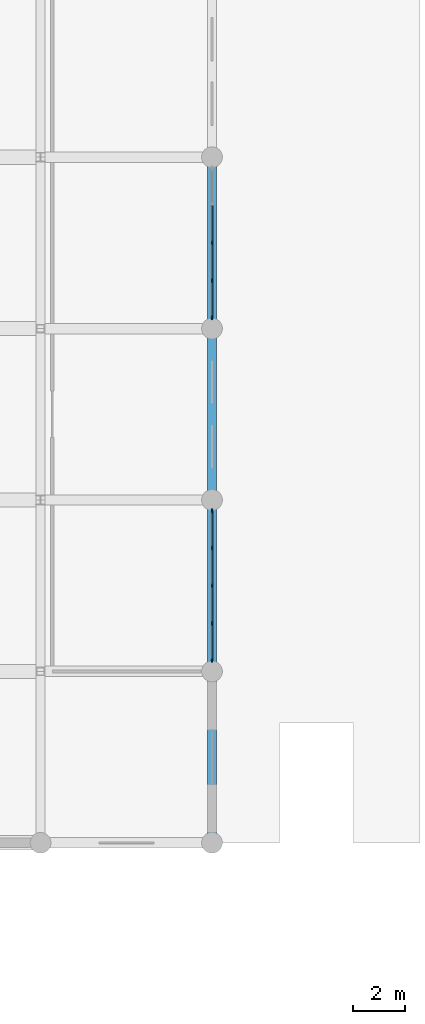
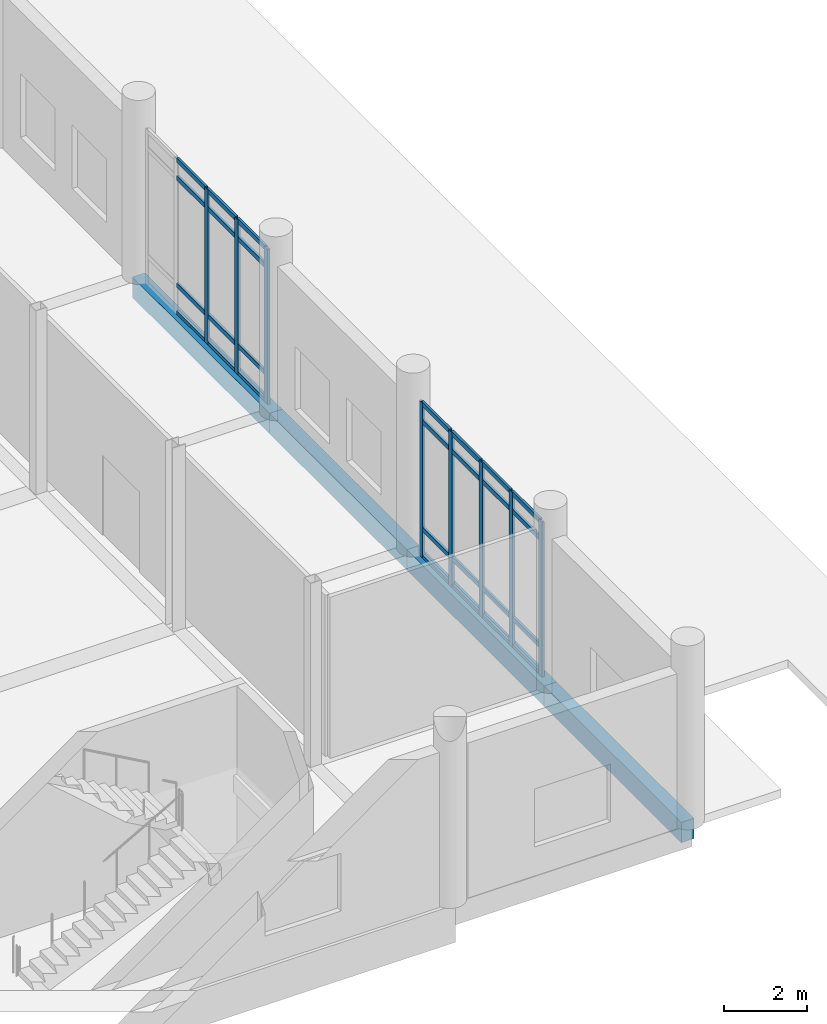
# One storey, part 12 of 72: 36 members, 4 beams, 2 elements without a shape of their own.
"""IFC4 building model written with IfcOpenShell, lengths in metres."""

from ifc_helpers import new_model, si_unit, direction, frame, origin, origin_2d, place, context, subcontext, project, spatial, rectangle, extrude, material, material_profile, profile_set, type_object, element, aggregate, save


model = new_model("IFC4")

# Units and contexts
model_context = context("Model", 3, precision=1e-05, world=origin(), true_north=direction((0.0, 1.0)))
body_context = subcontext(model_context, "Body", "Model", "MODEL_VIEW")
ifc_project = project(units=[si_unit("LENGTHUNIT", "METRE"), si_unit("AREAUNIT", "SQUARE_METRE"), si_unit("VOLUMEUNIT", "CUBIC_METRE"), si_unit("PLANEANGLEUNIT", "RADIAN"), si_unit("MASSUNIT", "GRAM", prefix="KILO")], contexts=[model_context])

# Site, building, storey
site_placement = place(None, origin())
site = spatial("IfcSite", under=ifc_project, at=site_placement, CompositionType="ELEMENT")
building_placement = place(site_placement, origin())
building = spatial("IfcBuilding", under=site, at=building_placement, Name="Dornvale Research Institute", CompositionType="ELEMENT")
storey_placement = place(building_placement, origin())
storey = spatial("IfcBuildingStorey", under=building, at=storey_placement, Name="L00", CompositionType="ELEMENT", Elevation=0.0)

# Beams
ifc_material_1 = material(Name="Concrete f'c 45 MPa (C35/45)", Category="concrete")
ifc_material_profile_1 = material_profile(ifc_material_1, rectangle(XDim=0.35009765625, YDim=0.60009765625, at=origin_2d()), Name="RC 350x600")
ifc_profile_set_1 = profile_set([ifc_material_profile_1], Name="Concrete f'c 45 MPa (C35/45)")
beam_type = type_object("IfcBeamType", Name="Beam_RC350x600_Floor", PredefinedType="BEAM", material=ifc_profile_set_1)
beam_1_placement = place(storey_placement, frame((66.0, 39.60009765625, -0.300048828125), z_axis=(0.0, 1.0, 0.0), x_axis=(-1.0, 0.0, 0.0)))
element("IfcBeam", 1, at=beam_1_placement, inside=storey, type_object=beam_type, Name="L00 transverse girder #261", PredefinedType="BEAM", context=body_context, shape_type="SweptSolid", body=[
    extrude(rectangle(XDim=0.35009765625, YDim=0.60009765625, at=origin_2d()), origin(), (0.0, 0.0, 1.0), 6.599853515625),
])
beam_2_placement = place(storey_placement, frame((66.0, 46.199951171875, -0.300048828125), z_axis=(0.0, 1.0, 0.0), x_axis=(-1.0, 0.0, 0.0)))
element("IfcBeam", 2, at=beam_2_placement, inside=storey, type_object=beam_type, Name="L00 transverse girder #262", PredefinedType="BEAM", context=body_context, shape_type="SweptSolid", body=[
    extrude(rectangle(XDim=0.35009765625, YDim=0.60009765625, at=origin_2d()), origin(), (0.0, 0.0, 1.0), 6.60009765625),
])
beam_3_placement = place(storey_placement, frame((66.0, 52.800048828125, -0.300048828125), z_axis=(0.0, 1.0, 0.0), x_axis=(-1.0, 0.0, 0.0)))
element("IfcBeam", 3, at=beam_3_placement, inside=storey, type_object=beam_type, Name="L00 transverse girder #263", PredefinedType="BEAM", context=body_context, shape_type="SweptSolid", body=[
    extrude(rectangle(XDim=0.35009765625, YDim=0.60009765625, at=origin_2d()), origin(), (0.0, 0.0, 1.0), 6.599853515625),
])
beam_4_placement = place(storey_placement, frame((66.0, 59.39990234375, -0.300048828125), z_axis=(0.0, 1.0, 0.0), x_axis=(-1.0, 0.0, 0.0)))
element("IfcBeam", 4, at=beam_4_placement, inside=storey, type_object=beam_type, Name="L00 transverse girder #264", PredefinedType="BEAM", context=body_context, shape_type="SweptSolid", body=[
    extrude(rectangle(XDim=0.35009765625, YDim=0.60009765625, at=origin_2d()), origin(), (0.0, 0.0, 1.0), 6.60009765625),
])

# Curtain wall, members
ifc_material_2 = material(Name="Low-E Argon Double Insulating Glazing Unit", Category="glass")
curtain_wall_type = type_object("IfcCurtainWallType", Name="UnitisedCurtainWall_V2_5810x4550", PredefinedType="USERDEFINED", material=ifc_material_2)
curtain_wall_1_placement = place(storey_placement, origin())
curtain_wall_1 = element("IfcCurtainWall", 5, at=curtain_wall_1_placement, inside=storey, type_object=curtain_wall_type, Name="L00 V2 unitised curtain wall CW-01 #3", ObjectType="UNITISED CURTAIN WALL", PredefinedType="USERDEFINED")
ifc_material_3 = material(Name="Anodized Aluminum AA 6063-T6 Thermally Broken Frame", Category="aluminium")
ifc_material_profile_2 = material_profile(ifc_material_3, rectangle(XDim=0.06494140625, YDim=0.1650390625, at=origin_2d()), Name="ALU MULLION 65x165")
ifc_profile_set_2 = profile_set([ifc_material_profile_2], Name="Anodized Aluminum AA 6063-T6 Thermally Broken Frame")
member_type_1 = type_object("IfcMemberType", Name="Mullion_Atrium_65x165", PredefinedType="MULLION", material=ifc_profile_set_2)
member_1_placement = place(storey_placement, frame((66.0, 62.699951171875, 0.0), z_axis=(0.0, 0.0, 1.0), x_axis=(1.0, 0.0, 0.0)))
member_1 = element("IfcMember", 6, at=member_1_placement, type_object=member_type_1, Name="CW-01 mullion 3", PredefinedType="MULLION", context=body_context, shape_type="SweptSolid", body=[
    extrude(rectangle(XDim=0.06494140625, YDim=0.1650390625, at=origin_2d()), origin(), (0.0, 0.0, 1.0), 4.550048828125),
])
member_2_placement = place(storey_placement, frame((66.0, 61.24755859375, 0.0), z_axis=(0.0, 0.0, 1.0), x_axis=(1.0, 0.0, 0.0)))
member_2 = element("IfcMember", 7, at=member_2_placement, type_object=member_type_1, Name="CW-01 mullion 4", PredefinedType="MULLION", context=body_context, shape_type="SweptSolid", body=[
    extrude(rectangle(XDim=0.06494140625, YDim=0.1650390625, at=origin_2d()), origin(), (0.0, 0.0, 1.0), 4.550048828125),
])
member_3_placement = place(storey_placement, frame((66.0, 59.827392578125, 0.0), z_axis=(0.0, 0.0, 1.0), x_axis=(1.0, 0.0, 0.0)))
member_3 = element("IfcMember", 8, at=member_3_placement, type_object=member_type_1, Name="CW-01 mullion 5", PredefinedType="MULLION", context=body_context, shape_type="SweptSolid", body=[
    extrude(rectangle(XDim=0.06494140625, YDim=0.1650390625, at=origin_2d()), origin(), (0.0, 0.0, 1.0), 4.550048828125),
])

curtain_wall_2_placement = place(storey_placement, origin())
curtain_wall_2 = element("IfcCurtainWall", 9, at=curtain_wall_2_placement, inside=storey, type_object=curtain_wall_type, Name="L00 V2 unitised curtain wall CW-01 #4", ObjectType="UNITISED CURTAIN WALL", PredefinedType="USERDEFINED")
member_4_placement = place(storey_placement, frame((66.0, 52.37255859375, 0.0), z_axis=(0.0, 0.0, 1.0), x_axis=(1.0, 0.0, 0.0)))
member_4 = element("IfcMember", 10, at=member_4_placement, type_object=member_type_1, Name="CW-01 mullion 1", PredefinedType="MULLION", context=body_context, shape_type="SweptSolid", body=[
    extrude(rectangle(XDim=0.06494140625, YDim=0.1650390625, at=origin_2d()), origin(), (0.0, 0.0, 1.0), 4.550048828125),
])
member_5_placement = place(storey_placement, frame((66.0, 50.952392578125, 0.0), z_axis=(0.0, 0.0, 1.0), x_axis=(1.0, 0.0, 0.0)))
member_5 = element("IfcMember", 11, at=member_5_placement, type_object=member_type_1, Name="CW-01 mullion 2", PredefinedType="MULLION", context=body_context, shape_type="SweptSolid", body=[
    extrude(rectangle(XDim=0.06494140625, YDim=0.1650390625, at=origin_2d()), origin(), (0.0, 0.0, 1.0), 4.550048828125),
])
member_6_placement = place(storey_placement, frame((66.0, 49.5, 0.0), z_axis=(0.0, 0.0, 1.0), x_axis=(1.0, 0.0, 0.0)))
member_6 = element("IfcMember", 12, at=member_6_placement, type_object=member_type_1, Name="CW-01 mullion 3", PredefinedType="MULLION", context=body_context, shape_type="SweptSolid", body=[
    extrude(rectangle(XDim=0.06494140625, YDim=0.1650390625, at=origin_2d()), origin(), (0.0, 0.0, 1.0), 4.550048828125),
])
member_7_placement = place(storey_placement, frame((66.0, 48.047607421875, 0.0), z_axis=(0.0, 0.0, 1.0), x_axis=(1.0, 0.0, 0.0)))
member_7 = element("IfcMember", 13, at=member_7_placement, type_object=member_type_1, Name="CW-01 mullion 4", PredefinedType="MULLION", context=body_context, shape_type="SweptSolid", body=[
    extrude(rectangle(XDim=0.06494140625, YDim=0.1650390625, at=origin_2d()), origin(), (0.0, 0.0, 1.0), 4.550048828125),
])
member_8_placement = place(storey_placement, frame((66.0, 46.62744140625, 0.0), z_axis=(0.0, 0.0, 1.0), x_axis=(1.0, 0.0, 0.0)))
member_8 = element("IfcMember", 14, at=member_8_placement, type_object=member_type_1, Name="CW-01 mullion 5", PredefinedType="MULLION", context=body_context, shape_type="SweptSolid", body=[
    extrude(rectangle(XDim=0.06494140625, YDim=0.1650390625, at=origin_2d()), origin(), (0.0, 0.0, 1.0), 4.550048828125),
])

# Member
ifc_material_4 = material(Name="Anodized Aluminum AA 6063-T6 Thermally Broken Frame", Category="aluminium")
ifc_material_profile_3 = material_profile(ifc_material_4, rectangle(XDim=0.06494140625, YDim=0.135009765625, at=origin_2d()), Name="ALU TRANSOM 65x135")
ifc_profile_set_3 = profile_set([ifc_material_profile_3], Name="Anodized Aluminum AA 6063-T6 Thermally Broken Frame")
member_type_2 = type_object("IfcMemberType", Name="Transom_CW_65x135", PredefinedType="USERDEFINED", material=ifc_profile_set_3)
member_9_placement = place(storey_placement, frame((66.0, 64.1201171875, 0.032470703125), z_axis=(0.0, -1.0, 0.0), x_axis=(1.0, 0.0, 0.0)))
member_9 = element("IfcMember", 15, at=member_9_placement, type_object=member_type_2, Name="CW-01 transom 2.1", ObjectType="TRANSOM", PredefinedType="USERDEFINED", context=body_context, shape_type="SweptSolid", body=[
    extrude(rectangle(XDim=0.06494140625, YDim=0.135009765625, at=origin_2d()), origin(), (0.0, 0.0, 1.0), 1.3876953125),
])

member_10_placement = place(storey_placement, frame((66.0, 64.1201171875, 0.85009765625), z_axis=(0.0, -1.0, 0.0), x_axis=(1.0, 0.0, 0.0)))
member_10 = element("IfcMember", 16, at=member_10_placement, type_object=member_type_2, Name="CW-01 transom 2.2", ObjectType="TRANSOM", PredefinedType="USERDEFINED", context=body_context, shape_type="SweptSolid", body=[
    extrude(rectangle(XDim=0.06494140625, YDim=0.135009765625, at=origin_2d()), origin(), (0.0, 0.0, 1.0), 1.3876953125),
])

member_11_placement = place(storey_placement, frame((66.0, 64.1201171875, 4.0), z_axis=(0.0, -1.0, 0.0), x_axis=(1.0, 0.0, 0.0)))
member_11 = element("IfcMember", 17, at=member_11_placement, type_object=member_type_2, Name="CW-01 transom 2.3", ObjectType="TRANSOM", PredefinedType="USERDEFINED", context=body_context, shape_type="SweptSolid", body=[
    extrude(rectangle(XDim=0.06494140625, YDim=0.135009765625, at=origin_2d()), origin(), (0.0, 0.0, 1.0), 1.3876953125),
])

member_12_placement = place(storey_placement, frame((66.0, 64.1201171875, 4.517578125), z_axis=(0.0, -1.0, 0.0), x_axis=(1.0, 0.0, 0.0)))
member_12 = element("IfcMember", 18, at=member_12_placement, type_object=member_type_2, Name="CW-01 transom 2.4", ObjectType="TRANSOM", PredefinedType="USERDEFINED", context=body_context, shape_type="SweptSolid", body=[
    extrude(rectangle(XDim=0.06494140625, YDim=0.135009765625, at=origin_2d()), origin(), (0.0, 0.0, 1.0), 1.3876953125),
])

member_13_placement = place(storey_placement, frame((66.0, 62.66748046875, 0.032470703125), z_axis=(0.0, -1.0, 0.0), x_axis=(1.0, 0.0, 0.0)))
member_13 = element("IfcMember", 19, at=member_13_placement, type_object=member_type_2, Name="CW-01 transom 3.1", ObjectType="TRANSOM", PredefinedType="USERDEFINED", context=body_context, shape_type="SweptSolid", body=[
    extrude(rectangle(XDim=0.06494140625, YDim=0.135009765625, at=origin_2d()), origin(), (0.0, 0.0, 1.0), 1.387451171875),
])

member_14_placement = place(storey_placement, frame((66.0, 62.66748046875, 0.85009765625), z_axis=(0.0, -1.0, 0.0), x_axis=(1.0, 0.0, 0.0)))
member_14 = element("IfcMember", 20, at=member_14_placement, type_object=member_type_2, Name="CW-01 transom 3.2", ObjectType="TRANSOM", PredefinedType="USERDEFINED", context=body_context, shape_type="SweptSolid", body=[
    extrude(rectangle(XDim=0.06494140625, YDim=0.135009765625, at=origin_2d()), origin(), (0.0, 0.0, 1.0), 1.387451171875),
])

member_15_placement = place(storey_placement, frame((66.0, 62.66748046875, 4.0), z_axis=(0.0, -1.0, 0.0), x_axis=(1.0, 0.0, 0.0)))
member_15 = element("IfcMember", 21, at=member_15_placement, type_object=member_type_2, Name="CW-01 transom 3.3", ObjectType="TRANSOM", PredefinedType="USERDEFINED", context=body_context, shape_type="SweptSolid", body=[
    extrude(rectangle(XDim=0.06494140625, YDim=0.135009765625, at=origin_2d()), origin(), (0.0, 0.0, 1.0), 1.387451171875),
])

member_16_placement = place(storey_placement, frame((66.0, 62.66748046875, 4.517578125), z_axis=(0.0, -1.0, 0.0), x_axis=(1.0, 0.0, 0.0)))
member_16 = element("IfcMember", 22, at=member_16_placement, type_object=member_type_2, Name="CW-01 transom 3.4", ObjectType="TRANSOM", PredefinedType="USERDEFINED", context=body_context, shape_type="SweptSolid", body=[
    extrude(rectangle(XDim=0.06494140625, YDim=0.135009765625, at=origin_2d()), origin(), (0.0, 0.0, 1.0), 1.387451171875),
])

member_17_placement = place(storey_placement, frame((66.0, 61.215087890625, 0.032470703125), z_axis=(0.0, -1.0, 0.0), x_axis=(1.0, 0.0, 0.0)))
member_17 = element("IfcMember", 23, at=member_17_placement, type_object=member_type_2, Name="CW-01 transom 4.1", ObjectType="TRANSOM", PredefinedType="USERDEFINED", context=body_context, shape_type="SweptSolid", body=[
    extrude(rectangle(XDim=0.06494140625, YDim=0.135009765625, at=origin_2d()), origin(), (0.0, 0.0, 1.0), 1.35498046875),
])

member_18_placement = place(storey_placement, frame((66.0, 61.215087890625, 0.85009765625), z_axis=(0.0, -1.0, 0.0), x_axis=(1.0, 0.0, 0.0)))
member_18 = element("IfcMember", 24, at=member_18_placement, type_object=member_type_2, Name="CW-01 transom 4.2", ObjectType="TRANSOM", PredefinedType="USERDEFINED", context=body_context, shape_type="SweptSolid", body=[
    extrude(rectangle(XDim=0.06494140625, YDim=0.135009765625, at=origin_2d()), origin(), (0.0, 0.0, 1.0), 1.35498046875),
])

member_19_placement = place(storey_placement, frame((66.0, 61.215087890625, 4.0), z_axis=(0.0, -1.0, 0.0), x_axis=(1.0, 0.0, 0.0)))
member_19 = element("IfcMember", 25, at=member_19_placement, type_object=member_type_2, Name="CW-01 transom 4.3", ObjectType="TRANSOM", PredefinedType="USERDEFINED", context=body_context, shape_type="SweptSolid", body=[
    extrude(rectangle(XDim=0.06494140625, YDim=0.135009765625, at=origin_2d()), origin(), (0.0, 0.0, 1.0), 1.35498046875),
])

member_20_placement = place(storey_placement, frame((66.0, 61.215087890625, 4.517578125), z_axis=(0.0, -1.0, 0.0), x_axis=(1.0, 0.0, 0.0)))
member_20 = element("IfcMember", 26, at=member_20_placement, type_object=member_type_2, Name="CW-01 transom 4.4", ObjectType="TRANSOM", PredefinedType="USERDEFINED", context=body_context, shape_type="SweptSolid", body=[
    extrude(rectangle(XDim=0.06494140625, YDim=0.135009765625, at=origin_2d()), origin(), (0.0, 0.0, 1.0), 1.35498046875),
])

aggregate(curtain_wall_1, [member_1, member_2, member_3, member_9, member_10, member_11, member_12, member_13, member_14, member_15, member_16, member_17, member_18, member_19, member_20])

member_21_placement = place(storey_placement, frame((66.0, 52.340087890625, 0.032470703125), z_axis=(0.0, -1.0, 0.0), x_axis=(1.0, 0.0, 0.0)))
member_21 = element("IfcMember", 27, at=member_21_placement, type_object=member_type_2, Name="CW-01 transom 1.1", ObjectType="TRANSOM", PredefinedType="USERDEFINED", context=body_context, shape_type="SweptSolid", body=[
    extrude(rectangle(XDim=0.06494140625, YDim=0.135009765625, at=origin_2d()), origin(), (0.0, 0.0, 1.0), 1.35498046875),
])

member_22_placement = place(storey_placement, frame((66.0, 52.340087890625, 0.85009765625), z_axis=(0.0, -1.0, 0.0), x_axis=(1.0, 0.0, 0.0)))
member_22 = element("IfcMember", 28, at=member_22_placement, type_object=member_type_2, Name="CW-01 transom 1.2", ObjectType="TRANSOM", PredefinedType="USERDEFINED", context=body_context, shape_type="SweptSolid", body=[
    extrude(rectangle(XDim=0.06494140625, YDim=0.135009765625, at=origin_2d()), origin(), (0.0, 0.0, 1.0), 1.35498046875),
])

member_23_placement = place(storey_placement, frame((66.0, 52.340087890625, 4.0), z_axis=(0.0, -1.0, 0.0), x_axis=(1.0, 0.0, 0.0)))
member_23 = element("IfcMember", 29, at=member_23_placement, type_object=member_type_2, Name="CW-01 transom 1.3", ObjectType="TRANSOM", PredefinedType="USERDEFINED", context=body_context, shape_type="SweptSolid", body=[
    extrude(rectangle(XDim=0.06494140625, YDim=0.135009765625, at=origin_2d()), origin(), (0.0, 0.0, 1.0), 1.35498046875),
])

member_24_placement = place(storey_placement, frame((66.0, 52.340087890625, 4.517578125), z_axis=(0.0, -1.0, 0.0), x_axis=(1.0, 0.0, 0.0)))
member_24 = element("IfcMember", 30, at=member_24_placement, type_object=member_type_2, Name="CW-01 transom 1.4", ObjectType="TRANSOM", PredefinedType="USERDEFINED", context=body_context, shape_type="SweptSolid", body=[
    extrude(rectangle(XDim=0.06494140625, YDim=0.135009765625, at=origin_2d()), origin(), (0.0, 0.0, 1.0), 1.35498046875),
])

member_25_placement = place(storey_placement, frame((66.0, 50.919921875, 0.032470703125), z_axis=(0.0, -1.0, 0.0), x_axis=(1.0, 0.0, 0.0)))
member_25 = element("IfcMember", 31, at=member_25_placement, type_object=member_type_2, Name="CW-01 transom 2.1", ObjectType="TRANSOM", PredefinedType="USERDEFINED", context=body_context, shape_type="SweptSolid", body=[
    extrude(rectangle(XDim=0.06494140625, YDim=0.135009765625, at=origin_2d()), origin(), (0.0, 0.0, 1.0), 1.387451171875),
])

member_26_placement = place(storey_placement, frame((66.0, 50.919921875, 0.85009765625), z_axis=(0.0, -1.0, 0.0), x_axis=(1.0, 0.0, 0.0)))
member_26 = element("IfcMember", 32, at=member_26_placement, type_object=member_type_2, Name="CW-01 transom 2.2", ObjectType="TRANSOM", PredefinedType="USERDEFINED", context=body_context, shape_type="SweptSolid", body=[
    extrude(rectangle(XDim=0.06494140625, YDim=0.135009765625, at=origin_2d()), origin(), (0.0, 0.0, 1.0), 1.387451171875),
])

member_27_placement = place(storey_placement, frame((66.0, 50.919921875, 4.0), z_axis=(0.0, -1.0, 0.0), x_axis=(1.0, 0.0, 0.0)))
member_27 = element("IfcMember", 33, at=member_27_placement, type_object=member_type_2, Name="CW-01 transom 2.3", ObjectType="TRANSOM", PredefinedType="USERDEFINED", context=body_context, shape_type="SweptSolid", body=[
    extrude(rectangle(XDim=0.06494140625, YDim=0.135009765625, at=origin_2d()), origin(), (0.0, 0.0, 1.0), 1.387451171875),
])

member_28_placement = place(storey_placement, frame((66.0, 50.919921875, 4.517578125), z_axis=(0.0, -1.0, 0.0), x_axis=(1.0, 0.0, 0.0)))
member_28 = element("IfcMember", 34, at=member_28_placement, type_object=member_type_2, Name="CW-01 transom 2.4", ObjectType="TRANSOM", PredefinedType="USERDEFINED", context=body_context, shape_type="SweptSolid", body=[
    extrude(rectangle(XDim=0.06494140625, YDim=0.135009765625, at=origin_2d()), origin(), (0.0, 0.0, 1.0), 1.387451171875),
])

member_29_placement = place(storey_placement, frame((66.0, 49.467529296875, 0.032470703125), z_axis=(0.0, -1.0, 0.0), x_axis=(1.0, 0.0, 0.0)))
member_29 = element("IfcMember", 35, at=member_29_placement, type_object=member_type_2, Name="CW-01 transom 3.1", ObjectType="TRANSOM", PredefinedType="USERDEFINED", context=body_context, shape_type="SweptSolid", body=[
    extrude(rectangle(XDim=0.06494140625, YDim=0.135009765625, at=origin_2d()), origin(), (0.0, 0.0, 1.0), 1.387451171875),
])

member_30_placement = place(storey_placement, frame((66.0, 49.467529296875, 0.85009765625), z_axis=(0.0, -1.0, 0.0), x_axis=(1.0, 0.0, 0.0)))
member_30 = element("IfcMember", 36, at=member_30_placement, type_object=member_type_2, Name="CW-01 transom 3.2", ObjectType="TRANSOM", PredefinedType="USERDEFINED", context=body_context, shape_type="SweptSolid", body=[
    extrude(rectangle(XDim=0.06494140625, YDim=0.135009765625, at=origin_2d()), origin(), (0.0, 0.0, 1.0), 1.387451171875),
])

member_31_placement = place(storey_placement, frame((66.0, 49.467529296875, 4.0), z_axis=(0.0, -1.0, 0.0), x_axis=(1.0, 0.0, 0.0)))
member_31 = element("IfcMember", 37, at=member_31_placement, type_object=member_type_2, Name="CW-01 transom 3.3", ObjectType="TRANSOM", PredefinedType="USERDEFINED", context=body_context, shape_type="SweptSolid", body=[
    extrude(rectangle(XDim=0.06494140625, YDim=0.135009765625, at=origin_2d()), origin(), (0.0, 0.0, 1.0), 1.387451171875),
])

member_32_placement = place(storey_placement, frame((66.0, 49.467529296875, 4.517578125), z_axis=(0.0, -1.0, 0.0), x_axis=(1.0, 0.0, 0.0)))
member_32 = element("IfcMember", 38, at=member_32_placement, type_object=member_type_2, Name="CW-01 transom 3.4", ObjectType="TRANSOM", PredefinedType="USERDEFINED", context=body_context, shape_type="SweptSolid", body=[
    extrude(rectangle(XDim=0.06494140625, YDim=0.135009765625, at=origin_2d()), origin(), (0.0, 0.0, 1.0), 1.387451171875),
])

member_33_placement = place(storey_placement, frame((66.0, 48.014892578125, 0.032470703125), z_axis=(0.0, -1.0, 0.0), x_axis=(1.0, 0.0, 0.0)))
member_33 = element("IfcMember", 39, at=member_33_placement, type_object=member_type_2, Name="CW-01 transom 4.1", ObjectType="TRANSOM", PredefinedType="USERDEFINED", context=body_context, shape_type="SweptSolid", body=[
    extrude(rectangle(XDim=0.06494140625, YDim=0.135009765625, at=origin_2d()), origin(), (0.0, 0.0, 1.0), 1.35498046875),
])

member_34_placement = place(storey_placement, frame((66.0, 48.014892578125, 0.85009765625), z_axis=(0.0, -1.0, 0.0), x_axis=(1.0, 0.0, 0.0)))
member_34 = element("IfcMember", 40, at=member_34_placement, type_object=member_type_2, Name="CW-01 transom 4.2", ObjectType="TRANSOM", PredefinedType="USERDEFINED", context=body_context, shape_type="SweptSolid", body=[
    extrude(rectangle(XDim=0.06494140625, YDim=0.135009765625, at=origin_2d()), origin(), (0.0, 0.0, 1.0), 1.35498046875),
])

member_35_placement = place(storey_placement, frame((66.0, 48.014892578125, 4.0), z_axis=(0.0, -1.0, 0.0), x_axis=(1.0, 0.0, 0.0)))
member_35 = element("IfcMember", 41, at=member_35_placement, type_object=member_type_2, Name="CW-01 transom 4.3", ObjectType="TRANSOM", PredefinedType="USERDEFINED", context=body_context, shape_type="SweptSolid", body=[
    extrude(rectangle(XDim=0.06494140625, YDim=0.135009765625, at=origin_2d()), origin(), (0.0, 0.0, 1.0), 1.35498046875),
])

member_36_placement = place(storey_placement, frame((66.0, 48.014892578125, 4.517578125), z_axis=(0.0, -1.0, 0.0), x_axis=(1.0, 0.0, 0.0)))
member_36 = element("IfcMember", 42, at=member_36_placement, type_object=member_type_2, Name="CW-01 transom 4.4", ObjectType="TRANSOM", PredefinedType="USERDEFINED", context=body_context, shape_type="SweptSolid", body=[
    extrude(rectangle(XDim=0.06494140625, YDim=0.135009765625, at=origin_2d()), origin(), (0.0, 0.0, 1.0), 1.35498046875),
])

aggregate(curtain_wall_2, [member_4, member_5, member_6, member_7, member_8, member_21, member_22, member_23, member_24, member_25, member_26, member_27, member_28, member_29, member_30, member_31, member_32, member_33, member_34, member_35, member_36])

save(model, "model.ifc")
